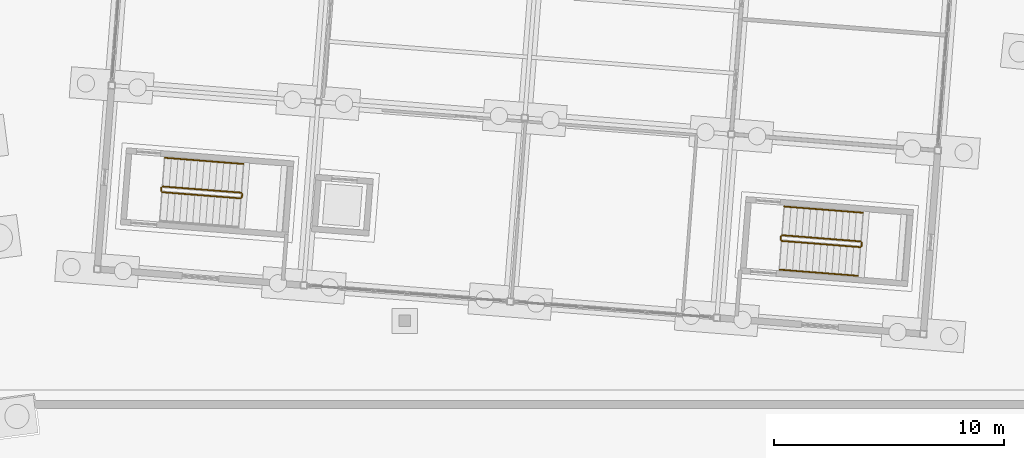
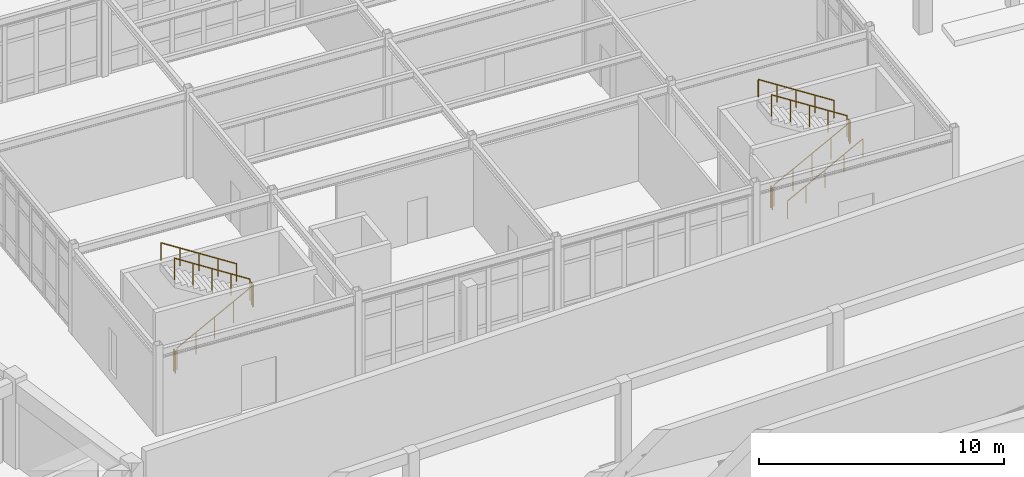
# One storey, part 148 of 154: 11 railings.
"""IFC4 building model written with IfcOpenShell, lengths in metres."""

from ifc_helpers import new_model, si_unit, direction, frame, origin, origin_2d, place, context, subcontext, project, spatial, circle, extrude, material, type_object, element, save


model = new_model("IFC4")

# Units and contexts
model_context = context("Model", 3, precision=1e-05, world=origin(), true_north=direction((0.0, 1.0)))
body_context = subcontext(model_context, "Body", "Model", "MODEL_VIEW")
ifc_project = project(units=[si_unit("LENGTHUNIT", "METRE"), si_unit("AREAUNIT", "SQUARE_METRE"), si_unit("VOLUMEUNIT", "CUBIC_METRE"), si_unit("PLANEANGLEUNIT", "RADIAN"), si_unit("MASSUNIT", "GRAM", prefix="KILO")], contexts=[model_context])

# Site, building, storey
site_placement = place(None, origin())
site = spatial("IfcSite", under=ifc_project, at=site_placement, CompositionType="ELEMENT")
building_placement = place(site_placement, origin())
building = spatial("IfcBuilding", under=site, at=building_placement, Name="Kestramere Prow Commons", CompositionType="ELEMENT")
storey_placement = place(building_placement, origin())
storey = spatial("IfcBuildingStorey", under=building, at=storey_placement, Name="L00", CompositionType="ELEMENT", Elevation=0.0)

# Railings
ifc_material_1 = material(Name="Galvanised Steel S275JR", Category="steel")
railing_type_1 = type_object("IfcRailingType", Name="RL-ST-GR-1100", PredefinedType="GUARDRAIL", material=ifc_material_1)
railing_1_placement = place(storey_placement, frame((71.420654296875, 88.8388671875, 0.173095703125)))
element("IfcRailing", 1, at=railing_1_placement, inside=storey, type_object=railing_type_1, Name="L00 ST-N1 stair guard 1", PredefinedType="GUARDRAIL", context=body_context, shape_type="SweptSolid", body=[
    extrude(circle(Radius=0.02392578125, at=origin_2d()), frame((0.0, 0.0, 1.076171875), z_axis=(0.852097894386, -0.067057328029, 0.519068871288), x_axis=(0.07845417653, 0.99691772087, 0.0)), (0.0, 0.0, 1.0), 4.001220703125),
    extrude(circle(Radius=0.02099609375, at=origin_2d()), origin(), (0.0, 0.0, 1.0), 1.052001953125),
    extrude(circle(Radius=0.02099609375, at=origin_2d()), frame((0.852294921875, -0.067138671875, 0.519287109375)), (0.0, 0.0, 1.0), 1.052001953125),
    extrude(circle(Radius=0.02099609375, at=origin_2d()), frame((1.70458984375, -0.13427734375, 1.03857421875)), (0.0, 0.0, 1.0), 1.052001953125),
    extrude(circle(Radius=0.02099609375, at=origin_2d()), frame((2.55712890625, -0.201171875, 1.5576171875)), (0.0, 0.0, 1.0), 1.052001953125),
    extrude(circle(Radius=0.02099609375, at=origin_2d()), frame((3.409423828125, -0.268310546875, 2.076904296875)), (0.0, 0.0, 1.0), 1.052001953125),
])
railing_2_placement = place(storey_placement, frame((74.8837890625, 88.61669921875, 2.25)))
element("IfcRailing", 2, at=railing_2_placement, inside=storey, type_object=railing_type_1, Name="L00 ST-N1 stair guard 2", PredefinedType="GUARDRAIL", context=body_context, shape_type="SweptSolid", body=[
    extrude(circle(Radius=0.02392578125, at=origin_2d()), frame((0.0, 0.0, 1.076171875), z_axis=(0.079809958787, 0.9968100975, 0.0), x_axis=(-0.9968100975, 0.079809958787, 0.0)), (0.0, 0.0, 1.0), 0.14990234375),
    extrude(circle(Radius=0.02099609375, at=origin_2d()), origin(), (0.0, 0.0, 1.0), 1.052001953125),
    extrude(circle(Radius=0.02099609375, at=origin_2d()), frame((0.011962890625, 0.1494140625, 0.0)), (0.0, 0.0, 1.0), 1.052001953125),
])
railing_3_placement = place(storey_placement, frame((74.849853515625, 88.81982421875, 2.423095703125)))
element("IfcRailing", 3, at=railing_3_placement, inside=storey, type_object=railing_type_1, Name="L00 ST-N1 stair guard 3", PredefinedType="GUARDRAIL", context=body_context, shape_type="SweptSolid", body=[
    extrude(circle(Radius=0.02392578125, at=origin_2d()), frame((0.0, 0.0, 1.076171875), z_axis=(-0.852114607331, 0.06705384172, 0.519041884904), x_axis=(-0.07844859359, -0.996918160214, 0.0)), (0.0, 0.0, 1.0), 4.00146484375),
    extrude(circle(Radius=0.02099609375, at=origin_2d()), origin(), (0.0, 0.0, 1.0), 1.052001953125),
    extrude(circle(Radius=0.02099609375, at=origin_2d()), frame((-0.8525390625, 0.067138671875, 0.519287109375)), (0.0, 0.0, 1.0), 1.052001953125),
    extrude(circle(Radius=0.02099609375, at=origin_2d()), frame((-1.704833984375, 0.13427734375, 1.03857421875)), (0.0, 0.0, 1.0), 1.052001953125),
    extrude(circle(Radius=0.02099609375, at=origin_2d()), frame((-2.55712890625, 0.201171875, 1.5576171875)), (0.0, 0.0, 1.0), 1.052001953125),
    extrude(circle(Radius=0.02099609375, at=origin_2d()), frame((-3.40966796875, 0.268310546875, 2.076904296875)), (0.0, 0.0, 1.0), 1.052001953125),
])
railing_4_placement = place(storey_placement, frame((71.374755859375, 88.892822265625, 0.0)))
element("IfcRailing", 4, at=railing_4_placement, inside=storey, type_object=railing_type_1, Name="L00 ST-N1 stair guard 4", PredefinedType="GUARDRAIL", context=body_context, shape_type="SweptSolid", body=[
    extrude(circle(Radius=0.02392578125, at=origin_2d()), frame((0.0, 0.0, 1.076171875), z_axis=(0.078191245319, 0.996938377813, 0.0), x_axis=(-0.996938377813, 0.078191245319, 0.0)), (0.0, 0.0, 1.0), 0.14990234375),
    extrude(circle(Radius=0.02099609375, at=origin_2d()), origin(), (0.0, 0.0, 1.0), 1.052001953125),
    extrude(circle(Radius=0.02099609375, at=origin_2d()), frame((0.01171875, 0.1494140625, 0.0)), (0.0, 0.0, 1.0), 1.052001953125),
])
railing_5_placement = place(storey_placement, frame((98.33740234375, 86.720703125, 0.173095703125)))
element("IfcRailing", 5, at=railing_5_placement, inside=storey, type_object=railing_type_1, Name="L00 ST-N2 stair guard 1", PredefinedType="GUARDRAIL", context=body_context, shape_type="SweptSolid", body=[
    extrude(circle(Radius=0.02392578125, at=origin_2d()), frame((0.0, 0.0, 1.076171875), z_axis=(0.852094406364, -0.067118069961, 0.519066746505), x_axis=(0.078525123419, 0.996912135041, 0.0)), (0.0, 0.0, 1.0), 4.001220703125),
    extrude(circle(Radius=0.02099609375, at=origin_2d()), origin(), (0.0, 0.0, 1.0), 1.052001953125),
    extrude(circle(Radius=0.02099609375, at=origin_2d()), frame((0.852294921875, -0.067138671875, 0.519287109375)), (0.0, 0.0, 1.0), 1.052001953125),
    extrude(circle(Radius=0.02099609375, at=origin_2d()), frame((1.70458984375, -0.13427734375, 1.03857421875)), (0.0, 0.0, 1.0), 1.052001953125),
    extrude(circle(Radius=0.02099609375, at=origin_2d()), frame((2.55712890625, -0.201416015625, 1.5576171875)), (0.0, 0.0, 1.0), 1.052001953125),
    extrude(circle(Radius=0.02099609375, at=origin_2d()), frame((3.409423828125, -0.2685546875, 2.076904296875)), (0.0, 0.0, 1.0), 1.052001953125),
])
railing_6_placement = place(storey_placement, frame((101.80078125, 86.498291015625, 2.25)))
element("IfcRailing", 6, at=railing_6_placement, inside=storey, type_object=railing_type_1, Name="L00 ST-N2 stair guard 2", PredefinedType="GUARDRAIL", context=body_context, shape_type="SweptSolid", body=[
    extrude(circle(Radius=0.02392578125, at=origin_2d()), frame((0.0, 0.0, 1.076171875), z_axis=(0.078191245319, 0.996938377813, 0.0), x_axis=(-0.996938377813, 0.078191245319, 0.0)), (0.0, 0.0, 1.0), 0.14990234375),
    extrude(circle(Radius=0.02099609375, at=origin_2d()), origin(), (0.0, 0.0, 1.0), 1.052001953125),
    extrude(circle(Radius=0.02099609375, at=origin_2d()), frame((0.01171875, 0.1494140625, 0.0)), (0.0, 0.0, 1.0), 1.052001953125),
])
railing_7_placement = place(storey_placement, frame((101.7666015625, 86.701416015625, 2.423095703125)))
element("IfcRailing", 7, at=railing_7_placement, inside=storey, type_object=railing_type_1, Name="L00 ST-N2 stair guard 3", PredefinedType="GUARDRAIL", context=body_context, shape_type="SweptSolid", body=[
    extrude(circle(Radius=0.02392578125, at=origin_2d()), frame((0.0, 0.0, 1.076171875), z_axis=(-0.852114607331, 0.06705384172, 0.519041884904), x_axis=(-0.07844859359, -0.996918160214, 0.0)), (0.0, 0.0, 1.0), 4.00146484375),
    extrude(circle(Radius=0.02099609375, at=origin_2d()), origin(), (0.0, 0.0, 1.0), 1.052001953125),
    extrude(circle(Radius=0.02099609375, at=origin_2d()), frame((-0.8525390625, 0.067138671875, 0.519287109375)), (0.0, 0.0, 1.0), 1.052001953125),
    extrude(circle(Radius=0.02099609375, at=origin_2d()), frame((-1.704833984375, 0.13427734375, 1.03857421875)), (0.0, 0.0, 1.0), 1.052001953125),
    extrude(circle(Radius=0.02099609375, at=origin_2d()), frame((-2.55712890625, 0.201171875, 1.5576171875)), (0.0, 0.0, 1.0), 1.052001953125),
    extrude(circle(Radius=0.02099609375, at=origin_2d()), frame((-3.40966796875, 0.268310546875, 2.076904296875)), (0.0, 0.0, 1.0), 1.052001953125),
])
railing_8_placement = place(storey_placement, frame((98.29150390625, 86.7744140625, 0.0)))
element("IfcRailing", 8, at=railing_8_placement, inside=storey, type_object=railing_type_1, Name="L00 ST-N2 stair guard 4", PredefinedType="GUARDRAIL", context=body_context, shape_type="SweptSolid", body=[
    extrude(circle(Radius=0.02392578125, at=origin_2d()), frame((0.0, 0.0, 1.076171875), z_axis=(0.078191245319, 0.996938377813, 0.0), x_axis=(-0.996938377813, 0.078191245319, 0.0)), (0.0, 0.0, 1.0), 0.14990234375),
    extrude(circle(Radius=0.02099609375, at=origin_2d()), origin(), (0.0, 0.0, 1.0), 1.052001953125),
    extrude(circle(Radius=0.02099609375, at=origin_2d()), frame((0.01171875, 0.1494140625, 0.0)), (0.0, 0.0, 1.0), 1.052001953125),
])
ifc_material_2 = material(Name="Stainless Steel 304", Category="steel")
railing_type_2 = type_object("IfcRailingType", Name="RL-ST-HR-900", PredefinedType="HANDRAIL", material=ifc_material_2)
railing_9_placement = place(storey_placement, frame((74.94775390625, 90.06591796875, 2.59619140625)))
element("IfcRailing", 9, at=railing_9_placement, inside=storey, type_object=railing_type_2, Name="L00 ST-N1 stair handrail 2", PredefinedType="HANDRAIL", context=body_context, shape_type="SweptSolid", body=[
    extrude(circle(Radius=0.02392578125, at=origin_2d()), frame((0.0, 0.0, 0.8759765625), z_axis=(-0.852094406364, 0.067118069961, 0.519066746505), x_axis=(-0.078525123419, -0.996912135041, 0.0)), (0.0, 0.0, 1.0), 4.001220703125),
    extrude(circle(Radius=0.02099609375, at=origin_2d()), origin(), (0.0, 0.0, 1.0), 0.851806640625),
    extrude(circle(Radius=0.02099609375, at=origin_2d()), frame((-0.852294921875, 0.067138671875, 0.519287109375)), (0.0, 0.0, 1.0), 0.851806640625),
    extrude(circle(Radius=0.02099609375, at=origin_2d()), frame((-1.70458984375, 0.13427734375, 1.03857421875)), (0.0, 0.0, 1.0), 0.851806640625),
    extrude(circle(Radius=0.02099609375, at=origin_2d()), frame((-2.55712890625, 0.201416015625, 1.5576171875)), (0.0, 0.0, 1.0), 0.851806640625),
    extrude(circle(Radius=0.02099609375, at=origin_2d()), frame((-3.409423828125, 0.2685546875, 2.076904296875)), (0.0, 0.0, 1.0), 0.851806640625),
])
railing_10_placement = place(storey_placement, frame((98.2392578125, 85.474365234375, 0.34619140625)))
element("IfcRailing", 10, at=railing_10_placement, inside=storey, type_object=railing_type_2, Name="L00 ST-N2 stair handrail 1", PredefinedType="HANDRAIL", context=body_context, shape_type="SweptSolid", body=[
    extrude(circle(Radius=0.02392578125, at=origin_2d()), frame((0.0, 0.0, 0.8759765625), z_axis=(0.852114607331, -0.06705384172, 0.519041884904), x_axis=(0.07844859359, 0.996918160214, 0.0)), (0.0, 0.0, 1.0), 4.00146484375),
    extrude(circle(Radius=0.02099609375, at=origin_2d()), origin(), (0.0, 0.0, 1.0), 0.851806640625),
    extrude(circle(Radius=0.02099609375, at=origin_2d()), frame((0.8525390625, -0.067138671875, 0.519287109375)), (0.0, 0.0, 1.0), 0.851806640625),
    extrude(circle(Radius=0.02099609375, at=origin_2d()), frame((1.704833984375, -0.13427734375, 1.03857421875)), (0.0, 0.0, 1.0), 0.851806640625),
    extrude(circle(Radius=0.02099609375, at=origin_2d()), frame((2.55712890625, -0.201171875, 1.5576171875)), (0.0, 0.0, 1.0), 0.851806640625),
    extrude(circle(Radius=0.02099609375, at=origin_2d()), frame((3.40966796875, -0.268310546875, 2.076904296875)), (0.0, 0.0, 1.0), 0.851806640625),
])
railing_11_placement = place(storey_placement, frame((101.864501953125, 87.94775390625, 2.59619140625)))
element("IfcRailing", 11, at=railing_11_placement, inside=storey, type_object=railing_type_2, Name="L00 ST-N2 stair handrail 2", PredefinedType="HANDRAIL", context=body_context, shape_type="SweptSolid", body=[
    extrude(circle(Radius=0.02392578125, at=origin_2d()), frame((0.0, 0.0, 0.8759765625), z_axis=(-0.852097894386, 0.067057328029, 0.519068871288), x_axis=(-0.07845417653, -0.99691772087, 0.0)), (0.0, 0.0, 1.0), 4.001220703125),
    extrude(circle(Radius=0.02099609375, at=origin_2d()), origin(), (0.0, 0.0, 1.0), 0.851806640625),
    extrude(circle(Radius=0.02099609375, at=origin_2d()), frame((-0.852294921875, 0.067138671875, 0.519287109375)), (0.0, 0.0, 1.0), 0.851806640625),
    extrude(circle(Radius=0.02099609375, at=origin_2d()), frame((-1.70458984375, 0.13427734375, 1.03857421875)), (0.0, 0.0, 1.0), 0.851806640625),
    extrude(circle(Radius=0.02099609375, at=origin_2d()), frame((-2.55712890625, 0.201171875, 1.5576171875)), (0.0, 0.0, 1.0), 0.851806640625),
    extrude(circle(Radius=0.02099609375, at=origin_2d()), frame((-3.409423828125, 0.268310546875, 2.076904296875)), (0.0, 0.0, 1.0), 0.851806640625),
])

save(model, "model.ifc")
